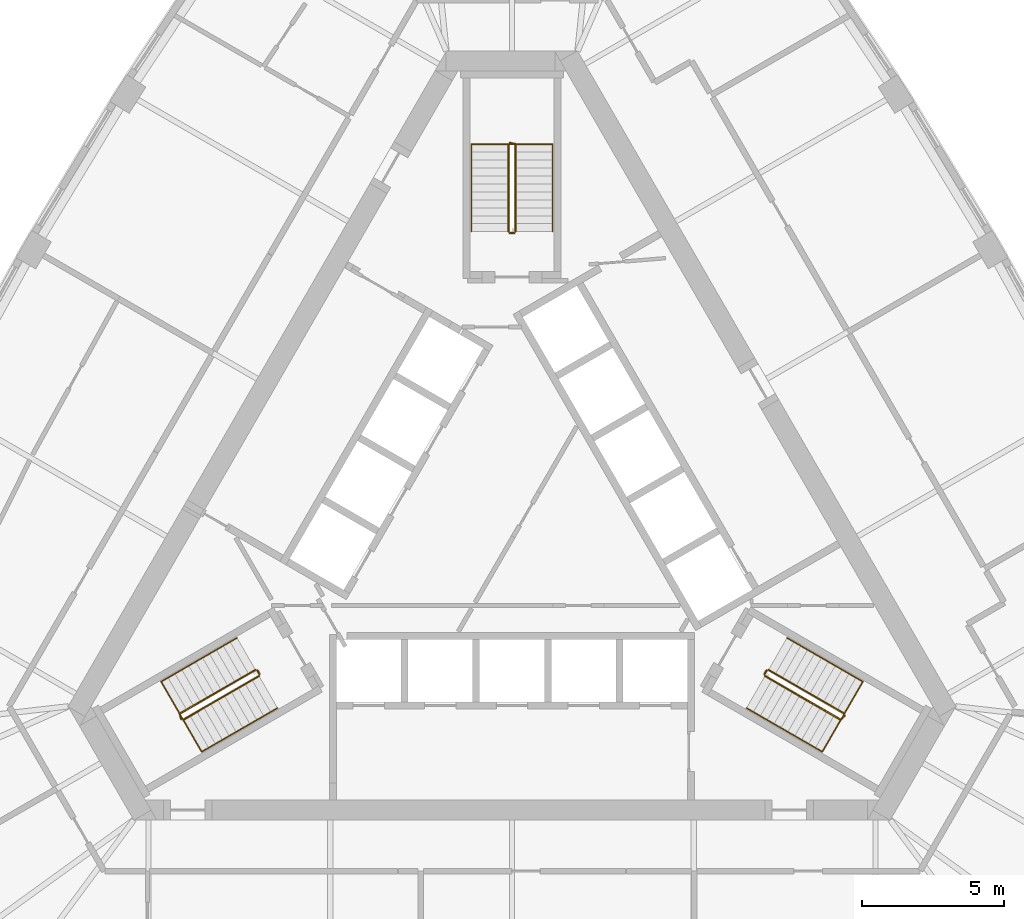
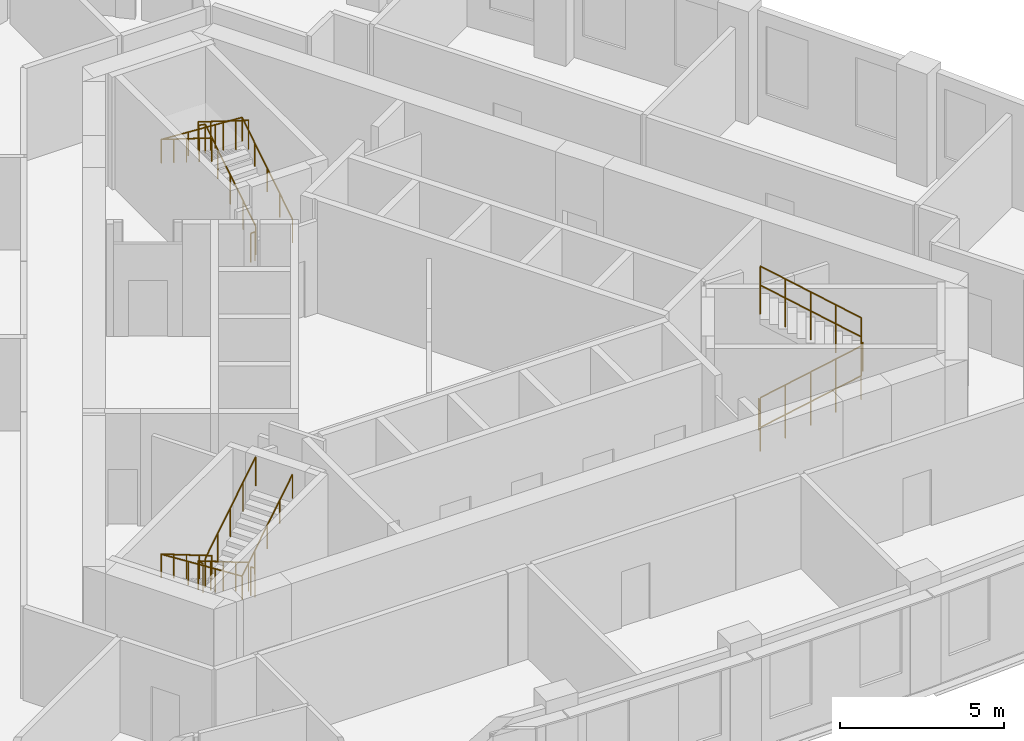
# One storey, part 10 of 10: 12 railings.
"""IFC4 building model written with IfcOpenShell, lengths in metres."""

from ifc_helpers import new_model, si_unit, direction, frame, origin, origin_2d, place, context, subcontext, project, spatial, circle, extrude, material, type_object, element, save


model = new_model("IFC4")

# Units and contexts
model_context = context("Model", 3, precision=1e-05, world=origin(), true_north=direction((0.0, 1.0)))
body_context = subcontext(model_context, "Body", "Model", "MODEL_VIEW")
ifc_project = project(units=[si_unit("LENGTHUNIT", "METRE"), si_unit("AREAUNIT", "SQUARE_METRE"), si_unit("VOLUMEUNIT", "CUBIC_METRE"), si_unit("PLANEANGLEUNIT", "RADIAN"), si_unit("MASSUNIT", "GRAM", prefix="KILO")], contexts=[model_context])

# Site, building, storey
site_placement = place(None, origin())
site = spatial("IfcSite", under=ifc_project, at=site_placement, CompositionType="ELEMENT")
building_placement = place(site_placement, origin())
building = spatial("IfcBuilding", under=site, at=building_placement, Name="Mestral Congress Tower", CompositionType="ELEMENT")
storey_placement = place(building_placement, frame((0.0, 0.0, 214.199951171875)))
storey = spatial("IfcBuildingStorey", under=building, at=storey_placement, Name="L50", CompositionType="ELEMENT", Elevation=214.199951171875)

# Railings
ifc_material_1 = material(Name="Steel balustrade", Category="steel")
railing_type_1 = type_object("IfcRailingType", Name="Stair guard 1100", PredefinedType="GUARDRAIL", material=ifc_material_1)
railing_1_placement = place(storey_placement, frame((8.90087890625, -5.283203125, 0.175048828125)))
element("IfcRailing", 1, at=railing_1_placement, inside=storey, type_object=railing_type_1, Name="L50 ST1 stair guard 1", PredefinedType="GUARDRAIL", context=body_context, shape_type="SweptSolid", body=[
    extrude(circle(Radius=0.02392578125, at=origin_2d()), frame((0.0, 0.0, 1.076171875), z_axis=(0.734364028329, -0.424015404183, 0.530019255228), x_axis=(0.500026652407, 0.866010015463, 0.0)), (0.0, 0.0, 1.0), 3.632080078125),
    extrude(circle(Radius=0.02392578125, at=origin_2d()), frame((2.667236328125, -1.5400390625, 3.0009765625), z_axis=(0.695164929852, 0.718850276695, 0.0), x_axis=(-0.718850276695, 0.695164929852, 0.0)), (0.0, 0.0, 1.0), 0.2060546875),
    extrude(circle(Radius=0.02099609375, at=origin_2d()), origin(), (0.0, 0.0, 1.0), 1.052001953125),
    extrude(circle(Radius=0.02099609375, at=origin_2d()), frame((0.666748046875, -0.385009765625, 0.481201171875)), (0.0, 0.0, 1.0), 1.052001953125),
    extrude(circle(Radius=0.02099609375, at=origin_2d()), frame((1.33349609375, -0.77001953125, 0.96240234375)), (0.0, 0.0, 1.0), 1.052001953125),
    extrude(circle(Radius=0.02099609375, at=origin_2d()), frame((2.00048828125, -1.155029296875, 1.44384765625)), (0.0, 0.0, 1.0), 1.052001953125),
    extrude(circle(Radius=0.02099609375, at=origin_2d()), frame((2.667236328125, -1.5400390625, 1.925048828125)), (0.0, 0.0, 1.0), 1.052001953125),
    extrude(circle(Radius=0.02099609375, at=origin_2d()), frame((2.810546875, -1.391845703125, 1.925048828125)), (0.0, 0.0, 1.0), 1.052001953125),
])
railing_2_placement = place(storey_placement, frame((11.693115234375, -6.606689453125, 2.275146484375)))
element("IfcRailing", 2, at=railing_2_placement, inside=storey, type_object=railing_type_1, Name="L50 ST1 stair guard 2", PredefinedType="GUARDRAIL", context=body_context, shape_type="SweptSolid", body=[
    extrude(circle(Radius=0.02392578125, at=origin_2d()), frame((0.0, 0.0, 1.076171875), z_axis=(-0.734390191396, 0.42403051051, 0.529970917068), x_axis=(-0.500026652407, -0.866010015463, 0.0)), (0.0, 0.0, 1.0), 3.6318359375),
    extrude(circle(Radius=0.02099609375, at=origin_2d()), origin(), (0.0, 0.0, 1.0), 1.052001953125),
    extrude(circle(Radius=0.02099609375, at=origin_2d()), frame((-0.666748046875, 0.385009765625, 0.481201171875)), (0.0, 0.0, 1.0), 1.052001953125),
    extrude(circle(Radius=0.02099609375, at=origin_2d()), frame((-1.33349609375, 0.77001953125, 0.96240234375)), (0.0, 0.0, 1.0), 1.052001953125),
    extrude(circle(Radius=0.02099609375, at=origin_2d()), frame((-2.00048828125, 1.155029296875, 1.443603515625)), (0.0, 0.0, 1.0), 1.052001953125),
    extrude(circle(Radius=0.02099609375, at=origin_2d()), frame((-2.667236328125, 1.5400390625, 1.9248046875)), (0.0, 0.0, 1.0), 1.052001953125),
])
railing_3_placement = place(storey_placement, frame((8.882568359375, -5.21484375, 0.0)))
element("IfcRailing", 3, at=railing_3_placement, inside=storey, type_object=railing_type_1, Name="L50 ST1 stair guard 3", PredefinedType="GUARDRAIL", context=body_context, shape_type="SweptSolid", body=[
    extrude(circle(Radius=0.02392578125, at=origin_2d()), frame((0.0, 0.0, 1.076171875), z_axis=(0.499816412211, 0.866131372301, 0.0), x_axis=(-0.866131372301, 0.499816412211, 0.0)), (0.0, 0.0, 1.0), 0.14990234375),
    extrude(circle(Radius=0.02099609375, at=origin_2d()), origin(), (0.0, 0.0, 1.0), 1.052001953125),
    extrude(circle(Radius=0.02099609375, at=origin_2d()), frame((0.074951171875, 0.1298828125, 0.0)), (0.0, 0.0, 1.0), 1.052001953125),
])
railing_4_placement = place(storey_placement, frame((0.125, 10.35009765625, 0.175048828125)))
element("IfcRailing", 4, at=railing_4_placement, inside=storey, type_object=railing_type_1, Name="L50 ST2 stair guard 1", PredefinedType="GUARDRAIL", context=body_context, shape_type="SweptSolid", body=[
    extrude(circle(Radius=0.02392578125, at=origin_2d()), frame((0.0, 0.0, 1.076171875), z_axis=(0.0, 0.847979421464, 0.530029150871), x_axis=(-1.0, 0.0, 0.0)), (0.0, 0.0, 1.0), 3.632080078125),
    extrude(circle(Radius=0.02392578125, at=origin_2d()), frame((0.0, 3.079833984375, 3.0009765625), z_axis=(-0.970072785993, 0.242814311512, 0.0), x_axis=(-0.242814311512, -0.970072785993, 0.0)), (0.0, 0.0, 1.0), 0.2060546875),
    extrude(circle(Radius=0.02099609375, at=origin_2d()), origin(), (0.0, 0.0, 1.0), 1.052001953125),
    extrude(circle(Radius=0.02099609375, at=origin_2d()), frame((0.0, 0.77001953125, 0.481201171875)), (0.0, 0.0, 1.0), 1.052001953125),
    extrude(circle(Radius=0.02099609375, at=origin_2d()), frame((0.0, 1.5400390625, 0.96240234375)), (0.0, 0.0, 1.0), 1.052001953125),
    extrude(circle(Radius=0.02099609375, at=origin_2d()), frame((0.0, 2.309814453125, 1.44384765625)), (0.0, 0.0, 1.0), 1.052001953125),
    extrude(circle(Radius=0.02099609375, at=origin_2d()), frame((0.0, 3.079833984375, 1.925048828125)), (0.0, 0.0, 1.0), 1.052001953125),
    extrude(circle(Radius=0.02099609375, at=origin_2d()), frame((-0.199951171875, 3.1298828125, 1.925048828125)), (0.0, 0.0, 1.0), 1.052001953125),
])
railing_5_placement = place(storey_placement, frame((-0.125, 13.429931640625, 2.275146484375)))
element("IfcRailing", 5, at=railing_5_placement, inside=storey, type_object=railing_type_1, Name="L50 ST2 stair guard 2", PredefinedType="GUARDRAIL", context=body_context, shape_type="SweptSolid", body=[
    extrude(circle(Radius=0.02392578125, at=origin_2d()), frame((0.0, 0.0, 1.076171875), z_axis=(0.0, -0.848009633417, 0.529980812513), x_axis=(1.0, 0.0, 0.0)), (0.0, 0.0, 1.0), 3.6318359375),
    extrude(circle(Radius=0.02099609375, at=origin_2d()), origin(), (0.0, 0.0, 1.0), 1.052001953125),
    extrude(circle(Radius=0.02099609375, at=origin_2d()), frame((0.0, -0.77001953125, 0.481201171875)), (0.0, 0.0, 1.0), 1.052001953125),
    extrude(circle(Radius=0.02099609375, at=origin_2d()), frame((0.0, -1.5400390625, 0.96240234375)), (0.0, 0.0, 1.0), 1.052001953125),
    extrude(circle(Radius=0.02099609375, at=origin_2d()), frame((0.0, -2.309814453125, 1.443603515625)), (0.0, 0.0, 1.0), 1.052001953125),
    extrude(circle(Radius=0.02099609375, at=origin_2d()), frame((0.0, -3.079833984375, 1.9248046875)), (0.0, 0.0, 1.0), 1.052001953125),
])
railing_6_placement = place(storey_placement, frame((0.074951171875, 10.300048828125, 0.0)))
element("IfcRailing", 6, at=railing_6_placement, inside=storey, type_object=railing_type_1, Name="L50 ST2 stair guard 3", PredefinedType="GUARDRAIL", context=body_context, shape_type="SweptSolid", body=[
    extrude(circle(Radius=0.02392578125, at=origin_2d()), frame((0.0, 0.0, 1.076171875), z_axis=(-1.0, 0.0, 0.0), x_axis=(0.0, -1.0, 0.0)), (0.0, 0.0, 1.0), 0.14990234375),
    extrude(circle(Radius=0.02099609375, at=origin_2d()), origin(), (0.0, 0.0, 1.0), 1.052001953125),
    extrude(circle(Radius=0.02099609375, at=origin_2d()), frame((-0.14990234375, 0.0, 0.0)), (0.0, 0.0, 1.0), 1.052001953125),
])
railing_7_placement = place(storey_placement, frame((-9.02587890625, -5.066650390625, 0.175048828125)))
element("IfcRailing", 7, at=railing_7_placement, inside=storey, type_object=railing_type_1, Name="L50 ST3 stair guard 1", PredefinedType="GUARDRAIL", context=body_context, shape_type="SweptSolid", body=[
    extrude(circle(Radius=0.02392578125, at=origin_2d()), frame((0.0, 0.0, 1.076171875), z_axis=(-0.734364028329, -0.424015404183, 0.530019255228), x_axis=(0.500026652407, -0.866010015463, 0.0)), (0.0, 0.0, 1.0), 3.632080078125),
    extrude(circle(Radius=0.02392578125, at=origin_2d()), frame((-2.667236328125, -1.5400390625, 3.0009765625), z_axis=(0.274721127897, -0.961523947641, 0.0), x_axis=(0.961523947641, 0.274721127897, 0.0)), (0.0, 0.0, 1.0), 0.2060546875),
    extrude(circle(Radius=0.02099609375, at=origin_2d()), origin(), (0.0, 0.0, 1.0), 1.052001953125),
    extrude(circle(Radius=0.02099609375, at=origin_2d()), frame((-0.666748046875, -0.385009765625, 0.481201171875)), (0.0, 0.0, 1.0), 1.052001953125),
    extrude(circle(Radius=0.02099609375, at=origin_2d()), frame((-1.33349609375, -0.77001953125, 0.96240234375)), (0.0, 0.0, 1.0), 1.052001953125),
    extrude(circle(Radius=0.02099609375, at=origin_2d()), frame((-2.00048828125, -1.155029296875, 1.44384765625)), (0.0, 0.0, 1.0), 1.052001953125),
    extrude(circle(Radius=0.02099609375, at=origin_2d()), frame((-2.667236328125, -1.5400390625, 1.925048828125)), (0.0, 0.0, 1.0), 1.052001953125),
    extrude(circle(Radius=0.02099609375, at=origin_2d()), frame((-2.610595703125, -1.73828125, 1.925048828125)), (0.0, 0.0, 1.0), 1.052001953125),
])
railing_8_placement = place(storey_placement, frame((-11.568115234375, -6.8232421875, 2.275146484375)))
element("IfcRailing", 8, at=railing_8_placement, inside=storey, type_object=railing_type_1, Name="L50 ST3 stair guard 2", PredefinedType="GUARDRAIL", context=body_context, shape_type="SweptSolid", body=[
    extrude(circle(Radius=0.02392578125, at=origin_2d()), frame((0.0, 0.0, 1.076171875), z_axis=(0.734390191396, 0.42403051051, 0.529970917068), x_axis=(-0.500026652407, 0.866010015463, 0.0)), (0.0, 0.0, 1.0), 3.6318359375),
    extrude(circle(Radius=0.02099609375, at=origin_2d()), origin(), (0.0, 0.0, 1.0), 1.052001953125),
    extrude(circle(Radius=0.02099609375, at=origin_2d()), frame((0.666748046875, 0.385009765625, 0.481201171875)), (0.0, 0.0, 1.0), 1.052001953125),
    extrude(circle(Radius=0.02099609375, at=origin_2d()), frame((1.33349609375, 0.77001953125, 0.96240234375)), (0.0, 0.0, 1.0), 1.052001953125),
    extrude(circle(Radius=0.02099609375, at=origin_2d()), frame((2.00048828125, 1.155029296875, 1.443603515625)), (0.0, 0.0, 1.0), 1.052001953125),
    extrude(circle(Radius=0.02099609375, at=origin_2d()), frame((2.667236328125, 1.5400390625, 1.9248046875)), (0.0, 0.0, 1.0), 1.052001953125),
])
railing_9_placement = place(storey_placement, frame((-8.95751953125, -5.0849609375, 0.0)))
element("IfcRailing", 9, at=railing_9_placement, inside=storey, type_object=railing_type_1, Name="L50 ST3 stair guard 3", PredefinedType="GUARDRAIL", context=body_context, shape_type="SweptSolid", body=[
    extrude(circle(Radius=0.02392578125, at=origin_2d()), frame((0.0, 0.0, 1.076171875), z_axis=(0.499816412211, -0.866131372301, 0.0), x_axis=(0.866131372301, 0.499816412211, 0.0)), (0.0, 0.0, 1.0), 0.14990234375),
    extrude(circle(Radius=0.02099609375, at=origin_2d()), origin(), (0.0, 0.0, 1.0), 1.052001953125),
    extrude(circle(Radius=0.02099609375, at=origin_2d()), frame((0.074951171875, -0.1298828125, 0.0)), (0.0, 0.0, 1.0), 1.052001953125),
])
ifc_material_2 = material(Name="Steel handrail", Category="steel")
railing_type_2 = type_object("IfcRailingType", Name="Stair handrail 900", PredefinedType="HANDRAIL", material=ifc_material_2)
railing_10_placement = place(storey_placement, frame((8.2509765625, -6.4091796875, 0.175048828125)))
element("IfcRailing", 10, at=railing_10_placement, inside=storey, type_object=railing_type_2, Name="L50 ST1 stair handrail 1", PredefinedType="HANDRAIL", context=body_context, shape_type="SweptSolid", body=[
    extrude(circle(Radius=0.02392578125, at=origin_2d()), frame((0.0, 0.0, 0.8759765625), z_axis=(0.734384958227, -0.423960268333, 0.530034361155), x_axis=(0.499967199496, 0.866044340336, 0.0)), (0.0, 0.0, 1.0), 3.6318359375),
    extrude(circle(Radius=0.02392578125, at=origin_2d()), frame((2.667236328125, -1.539794921875, 2.80078125), z_axis=(0.499095769026, 0.864375386171, 0.061307463833), x_axis=(-0.866004402611, 0.500036373335, 0.0)), (0.0, 0.0, 1.0), 2.855224609375),
    extrude(circle(Radius=0.02392578125, at=origin_2d()), frame((4.09228515625, 0.92822265625, 2.97607421875), z_axis=(-0.734421155904, 0.424009578203, 0.529944755001), x_axis=(-0.499992328818, -0.866029832698, 0.0)), (0.0, 0.0, 1.0), 3.632080078125),
    extrude(circle(Radius=0.02099609375, at=origin_2d()), origin(), (0.0, 0.0, 1.0), 0.851806640625),
    extrude(circle(Radius=0.02099609375, at=origin_2d()), frame((0.666748046875, -0.385009765625, 0.481201171875)), (0.0, 0.0, 1.0), 0.851806640625),
    extrude(circle(Radius=0.02099609375, at=origin_2d()), frame((1.33349609375, -0.77001953125, 0.96240234375)), (0.0, 0.0, 1.0), 0.851806640625),
    extrude(circle(Radius=0.02099609375, at=origin_2d()), frame((2.00048828125, -1.15478515625, 1.44384765625)), (0.0, 0.0, 1.0), 0.851806640625),
    extrude(circle(Radius=0.02099609375, at=origin_2d()), frame((2.667236328125, -1.539794921875, 1.925048828125)), (0.0, 0.0, 1.0), 0.851806640625),
    extrude(circle(Radius=0.02099609375, at=origin_2d()), frame((3.142333984375, -0.717041015625, 1.9833984375)), (0.0, 0.0, 1.0), 0.851806640625),
    extrude(circle(Radius=0.02099609375, at=origin_2d()), frame((3.6171875, 0.10546875, 2.041748046875)), (0.0, 0.0, 1.0), 0.851806640625),
    extrude(circle(Radius=0.02099609375, at=origin_2d()), frame((4.09228515625, 0.92822265625, 2.10009765625)), (0.0, 0.0, 1.0), 0.851806640625),
    extrude(circle(Radius=0.02099609375, at=origin_2d()), frame((3.42529296875, 1.313232421875, 2.581298828125)), (0.0, 0.0, 1.0), 0.851806640625),
    extrude(circle(Radius=0.02099609375, at=origin_2d()), frame((2.758544921875, 1.6982421875, 3.0625)), (0.0, 0.0, 1.0), 0.851806640625),
    extrude(circle(Radius=0.02099609375, at=origin_2d()), frame((2.091796875, 2.083251953125, 3.543701171875)), (0.0, 0.0, 1.0), 0.851806640625),
    extrude(circle(Radius=0.02099609375, at=origin_2d()), frame((1.4248046875, 2.46826171875, 4.02490234375)), (0.0, 0.0, 1.0), 0.851806640625),
])
railing_11_placement = place(storey_placement, frame((1.425048828125, 10.35009765625, 0.175048828125)))
element("IfcRailing", 11, at=railing_11_placement, inside=storey, type_object=railing_type_2, Name="L50 ST2 stair handrail 1", PredefinedType="HANDRAIL", context=body_context, shape_type="SweptSolid", body=[
    extrude(circle(Radius=0.02392578125, at=origin_2d()), frame((0.0, 0.0, 0.8759765625), z_axis=(0.0, 0.847979421464, 0.530029150871), x_axis=(-1.0, 0.0, 0.0)), (0.0, 0.0, 1.0), 3.632080078125),
    extrude(circle(Radius=0.02392578125, at=origin_2d()), frame((0.0, 3.079833984375, 2.80078125), z_axis=(-0.998119201106, 0.0, 0.061303021003), x_axis=(0.0, -1.0, 0.0)), (0.0, 0.0, 1.0), 2.85546875),
    extrude(circle(Radius=0.02392578125, at=origin_2d()), frame((-2.85009765625, 3.079833984375, 2.97607421875), z_axis=(0.0, -0.848009633417, 0.529980812513), x_axis=(1.0, 0.0, 0.0)), (0.0, 0.0, 1.0), 3.6318359375),
    extrude(circle(Radius=0.02099609375, at=origin_2d()), origin(), (0.0, 0.0, 1.0), 0.851806640625),
    extrude(circle(Radius=0.02099609375, at=origin_2d()), frame((0.0, 0.77001953125, 0.481201171875)), (0.0, 0.0, 1.0), 0.851806640625),
    extrude(circle(Radius=0.02099609375, at=origin_2d()), frame((0.0, 1.5400390625, 0.96240234375)), (0.0, 0.0, 1.0), 0.851806640625),
    extrude(circle(Radius=0.02099609375, at=origin_2d()), frame((0.0, 2.309814453125, 1.44384765625)), (0.0, 0.0, 1.0), 0.851806640625),
    extrude(circle(Radius=0.02099609375, at=origin_2d()), frame((0.0, 3.079833984375, 1.925048828125)), (0.0, 0.0, 1.0), 0.851806640625),
    extrude(circle(Radius=0.02099609375, at=origin_2d()), frame((-0.949951171875, 3.079833984375, 1.9833984375)), (0.0, 0.0, 1.0), 0.851806640625),
    extrude(circle(Radius=0.02099609375, at=origin_2d()), frame((-1.900146484375, 3.079833984375, 2.041748046875)), (0.0, 0.0, 1.0), 0.851806640625),
    extrude(circle(Radius=0.02099609375, at=origin_2d()), frame((-2.85009765625, 3.079833984375, 2.10009765625)), (0.0, 0.0, 1.0), 0.851806640625),
    extrude(circle(Radius=0.02099609375, at=origin_2d()), frame((-2.85009765625, 2.309814453125, 2.581298828125)), (0.0, 0.0, 1.0), 0.851806640625),
    extrude(circle(Radius=0.02099609375, at=origin_2d()), frame((-2.85009765625, 1.5400390625, 3.0625)), (0.0, 0.0, 1.0), 0.851806640625),
    extrude(circle(Radius=0.02099609375, at=origin_2d()), frame((-2.85009765625, 0.77001953125, 3.543701171875)), (0.0, 0.0, 1.0), 0.851806640625),
    extrude(circle(Radius=0.02099609375, at=origin_2d()), frame((-2.85009765625, 0.0, 4.02490234375)), (0.0, 0.0, 1.0), 0.851806640625),
])
railing_12_placement = place(storey_placement, frame((-9.67578125, -3.94091796875, 0.175048828125)))
element("IfcRailing", 12, at=railing_12_placement, inside=storey, type_object=railing_type_2, Name="L50 ST3 stair handrail 1", PredefinedType="HANDRAIL", context=body_context, shape_type="SweptSolid", body=[
    extrude(circle(Radius=0.02392578125, at=origin_2d()), frame((0.0, 0.0, 0.8759765625), z_axis=(-0.734394994316, -0.423994474112, 0.52999309264), x_axis=(0.499992328818, -0.866029832698, 0.0)), (0.0, 0.0, 1.0), 3.63232421875),
    extrude(circle(Radius=0.02392578125, at=origin_2d()), frame((-2.66748046875, -1.5400390625, 2.80078125), z_axis=(0.499095769026, -0.864375386171, 0.061307463833), x_axis=(0.866004402611, 0.500036373335, 0.0)), (0.0, 0.0, 1.0), 2.855224609375),
    extrude(circle(Radius=0.02392578125, at=origin_2d()), frame((-1.242431640625, -4.008056640625, 2.97607421875), z_axis=(0.734411123532, 0.423975373557, 0.529986022693), x_axis=(-0.499967199496, 0.866044340336, 0.0)), (0.0, 0.0, 1.0), 3.6318359375),
    extrude(circle(Radius=0.02099609375, at=origin_2d()), origin(), (0.0, 0.0, 1.0), 0.851806640625),
    extrude(circle(Radius=0.02099609375, at=origin_2d()), frame((-0.6669921875, -0.385009765625, 0.481201171875)), (0.0, 0.0, 1.0), 0.851806640625),
    extrude(circle(Radius=0.02099609375, at=origin_2d()), frame((-1.333740234375, -0.77001953125, 0.96240234375)), (0.0, 0.0, 1.0), 0.851806640625),
    extrude(circle(Radius=0.02099609375, at=origin_2d()), frame((-2.00048828125, -1.155029296875, 1.44384765625)), (0.0, 0.0, 1.0), 0.851806640625),
    extrude(circle(Radius=0.02099609375, at=origin_2d()), frame((-2.66748046875, -1.5400390625, 1.925048828125)), (0.0, 0.0, 1.0), 0.851806640625),
    extrude(circle(Radius=0.02099609375, at=origin_2d()), frame((-2.1923828125, -2.36279296875, 1.9833984375)), (0.0, 0.0, 1.0), 0.851806640625),
    extrude(circle(Radius=0.02099609375, at=origin_2d()), frame((-1.717529296875, -3.185302734375, 2.041748046875)), (0.0, 0.0, 1.0), 0.851806640625),
    extrude(circle(Radius=0.02099609375, at=origin_2d()), frame((-1.242431640625, -4.008056640625, 2.10009765625)), (0.0, 0.0, 1.0), 0.851806640625),
    extrude(circle(Radius=0.02099609375, at=origin_2d()), frame((-0.57568359375, -3.623046875, 2.581298828125)), (0.0, 0.0, 1.0), 0.851806640625),
    extrude(circle(Radius=0.02099609375, at=origin_2d()), frame((0.09130859375, -3.23828125, 3.0625)), (0.0, 0.0, 1.0), 0.851806640625),
    extrude(circle(Radius=0.02099609375, at=origin_2d()), frame((0.758056640625, -2.853271484375, 3.543701171875)), (0.0, 0.0, 1.0), 0.851806640625),
    extrude(circle(Radius=0.02099609375, at=origin_2d()), frame((1.4248046875, -2.46826171875, 4.02490234375)), (0.0, 0.0, 1.0), 0.851806640625),
])

save(model, "model.ifc")
